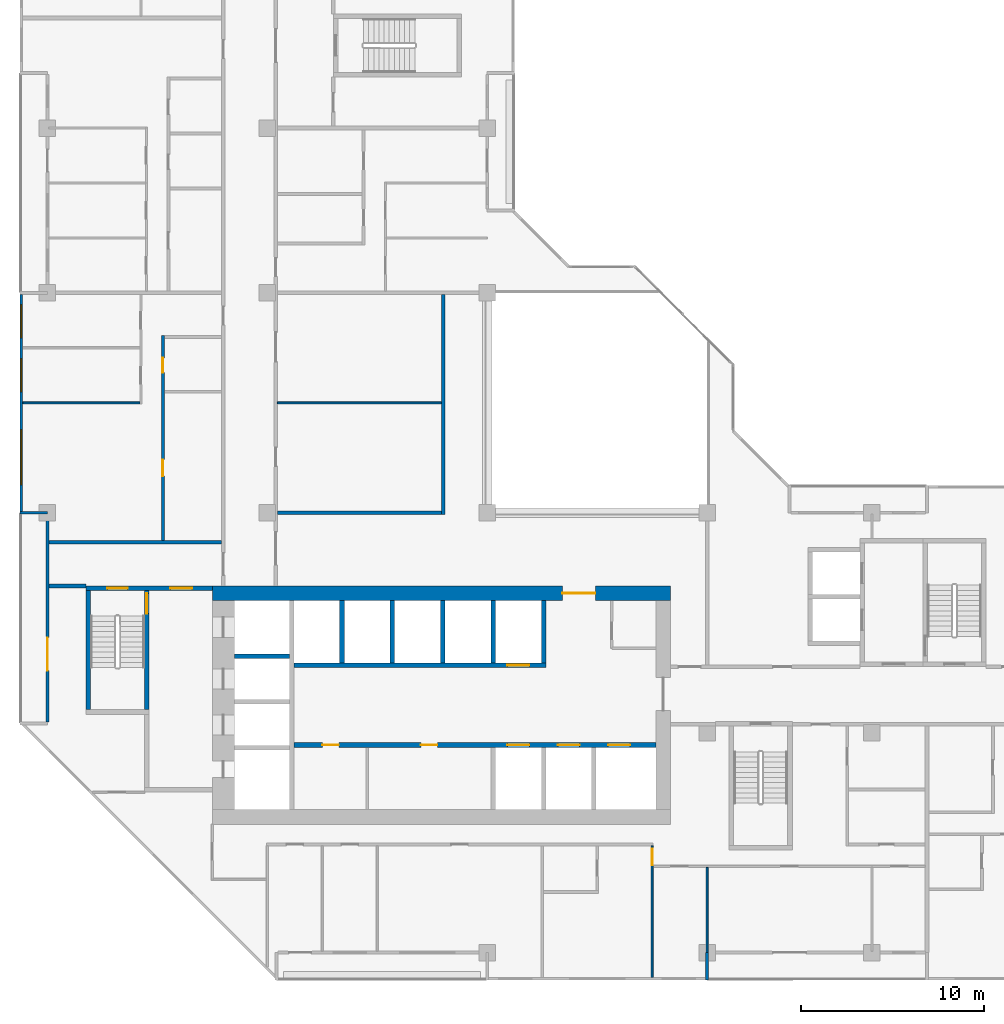
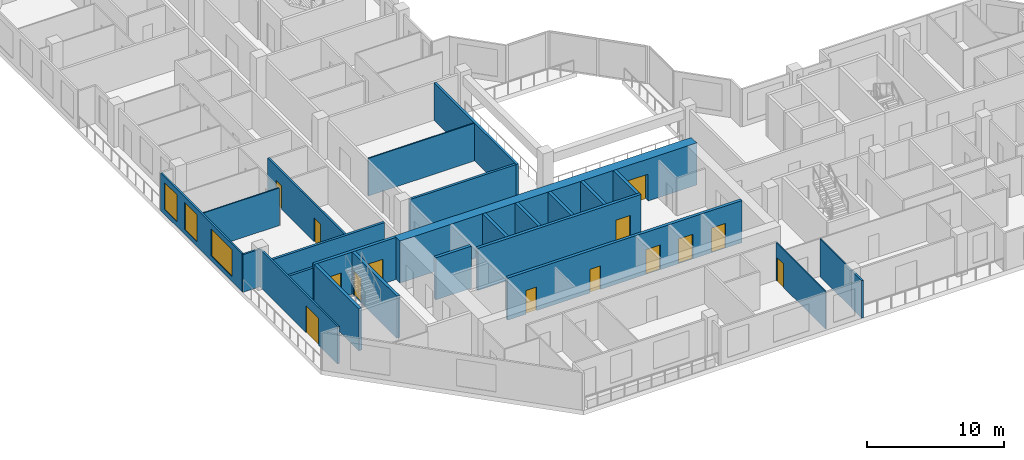
# One storey, part 5 of 14: 25 walls, 14 doors, 3 windows, 17 openings.
"""IFC4 building model written with IfcOpenShell, lengths in metres."""

from ifc_helpers import new_model, si_unit, direction, frame, frame_2d, origin, place, context, subcontext, project, spatial, rectangle, extrude, material, layer, layer_set, type_object, element, fill, save


model = new_model("IFC4")

# Units and contexts
model_context = context("Model", 3, precision=1e-05, world=origin(), true_north=direction((0.0, 1.0)))
body_context = subcontext(model_context, "Body", "Model", "MODEL_VIEW")
ifc_project = project(units=[si_unit("LENGTHUNIT", "METRE"), si_unit("AREAUNIT", "SQUARE_METRE"), si_unit("VOLUMEUNIT", "CUBIC_METRE"), si_unit("PLANEANGLEUNIT", "RADIAN"), si_unit("MASSUNIT", "GRAM", prefix="KILO")], contexts=[model_context])

# Site, building, storey
site_placement = place(None, origin())
site = spatial("IfcSite", under=ifc_project, at=site_placement, CompositionType="ELEMENT")
building_placement = place(site_placement, origin())
building = spatial("IfcBuilding", under=site, at=building_placement, Name="Chenar Terraces", CompositionType="ELEMENT")
storey_placement = place(building_placement, frame((0.0, 0.0, 168.64990234375)))
storey = spatial("IfcBuildingStorey", under=building, at=storey_placement, Name="L38", CompositionType="ELEMENT", Elevation=168.64990234375)

# Wall, openings, doors
ifc_material_1 = material(Name="Concrete C60/75", Category="concrete")
ifc_layer_1 = layer(ifc_material_1, 0.25)
ifc_layer_set_1 = layer_set([ifc_layer_1], Name="Concrete C60/75")
wall_type_1 = type_object("IfcWallType", Name="Core wall 250 Concrete C60/75", PredefinedType="SHEAR", material=ifc_layer_set_1)
wall_1_placement = place(storey_placement, frame((13.449951171875, 11.324951171875, 0.0), z_axis=(0.0, 0.0, 1.0), x_axis=(1.0, 0.0, 0.0)))
wall_1 = element("IfcWall", 1, at=wall_1_placement, inside=storey, type_object=wall_type_1, Name="Core wall SF L38", PredefinedType="SHEAR", context=body_context, shape_type="SweptSolid", body=[
    extrude(rectangle(XDim=19.75, YDim=0.25, at=frame_2d((9.875, 0.0))), origin(), (0.0, 0.0, 1.0), 3.75),
])
opening_1_placement = place(wall_1_placement, frame((11.64990234375, 0.0, 0.0)))
opening_1 = element("IfcOpeningElement", 2, at=opening_1_placement, cuts=wall_1, Name="Opening DL38-LD1", PredefinedType="OPENING", context=body_context, shape_type="SweptSolid", body=[
    extrude(rectangle(XDim=1.199951171875, YDim=2.199951171875, at=frame_2d((0.60009765625, 1.10009765625))), frame((0.0, 0.135009765625, 0.0), z_axis=(0.0, -1.0, 0.0), x_axis=(1.0, 0.0, 0.0)), (0.0, 0.0, 1.0), 0.27001953125),
])
opening_2_placement = place(wall_1_placement, frame((14.39990234375, 0.0, 0.0)))
opening_2 = element("IfcOpeningElement", 3, at=opening_2_placement, cuts=wall_1, Name="Opening DL38-LD2", PredefinedType="OPENING", context=body_context, shape_type="SweptSolid", body=[
    extrude(rectangle(XDim=1.199951171875, YDim=2.199951171875, at=frame_2d((0.60009765625, 1.10009765625))), frame((0.0, 0.135009765625, 0.0), z_axis=(0.0, -1.0, 0.0), x_axis=(1.0, 0.0, 0.0)), (0.0, 0.0, 1.0), 0.27001953125),
])
opening_3_placement = place(wall_1_placement, frame((17.14990234375, 0.0, 0.0)))
opening_3 = element("IfcOpeningElement", 4, at=opening_3_placement, cuts=wall_1, Name="Opening DL38-LD3", PredefinedType="OPENING", context=body_context, shape_type="SweptSolid", body=[
    extrude(rectangle(XDim=1.199951171875, YDim=2.199951171875, at=frame_2d((0.60009765625, 1.10009765625))), frame((0.0, 0.135009765625, 0.0), z_axis=(0.0, -1.0, 0.0), x_axis=(1.0, 0.0, 0.0)), (0.0, 0.0, 1.0), 0.27001953125),
])
opening_4_placement = place(wall_1_placement, frame((1.550048828125, 0.0, 0.0)))
opening_4 = element("IfcOpeningElement", 5, at=opening_4_placement, cuts=wall_1, Name="Opening DL38-C12", PredefinedType="OPENING", context=body_context, shape_type="SweptSolid", body=[
    extrude(rectangle(XDim=0.89990234375, YDim=2.10009765625, at=frame_2d((0.449951171875, 1.050048828125))), frame((0.0, 0.135009765625, 0.0), z_axis=(0.0, -1.0, 0.0), x_axis=(1.0, 0.0, 0.0)), (0.0, 0.0, 1.0), 0.27001953125),
])
opening_5_placement = place(wall_1_placement, frame((6.925048828125, 0.0, 0.0)))
opening_5 = element("IfcOpeningElement", 6, at=opening_5_placement, cuts=wall_1, Name="Opening DL38-C13", PredefinedType="OPENING", context=body_context, shape_type="SweptSolid", body=[
    extrude(rectangle(XDim=0.89990234375, YDim=2.10009765625, at=frame_2d((0.449951171875, 1.050048828125))), frame((0.0, 0.135009765625, 0.0), z_axis=(0.0, -1.0, 0.0), x_axis=(1.0, 0.0, 0.0)), (0.0, 0.0, 1.0), 0.27001953125),
])
ifc_material_2 = material(Name="Stainless steel", Category="steel")
door_type_1 = type_object("IfcDoorType", Name="Lift landing door 1200 x 2200 sliding", OperationType="DOUBLE_DOOR_SLIDING", PredefinedType="DOOR", material=ifc_material_2)
door_1_placement = place(opening_1_placement, origin())
door_1 = element("IfcDoor", 7, at=door_1_placement, inside=storey, type_object=door_type_1, Name="Landing door M1", OperationType="DOUBLE_DOOR_SLIDING", OverallHeight=2.199951171875, OverallWidth=1.199951171875, PredefinedType="DOOR", context=body_context, shape_type="SweptSolid", body=[
    extrude(rectangle(XDim=1.199951171875, YDim=2.199951171875, at=frame_2d((0.60009765625, 1.10009765625))), frame((0.0, 0.02490234375, 0.0), z_axis=(0.0, -1.0, 0.0), x_axis=(1.0, 0.0, 0.0)), (0.0, 0.0, 1.0), 0.050048828125),
])
fill(opening_1, door_1)
door_2_placement = place(opening_2_placement, origin())
door_2 = element("IfcDoor", 8, at=door_2_placement, inside=storey, type_object=door_type_1, Name="Landing door M2", OperationType="DOUBLE_DOOR_SLIDING", OverallHeight=2.199951171875, OverallWidth=1.199951171875, PredefinedType="DOOR", context=body_context, shape_type="SweptSolid", body=[
    extrude(rectangle(XDim=1.199951171875, YDim=2.199951171875, at=frame_2d((0.60009765625, 1.10009765625))), frame((0.0, 0.02490234375, 0.0), z_axis=(0.0, -1.0, 0.0), x_axis=(1.0, 0.0, 0.0)), (0.0, 0.0, 1.0), 0.050048828125),
])
fill(opening_2, door_2)
door_3_placement = place(opening_3_placement, origin())
door_3 = element("IfcDoor", 9, at=door_3_placement, inside=storey, type_object=door_type_1, Name="Landing door M3", OperationType="DOUBLE_DOOR_SLIDING", OverallHeight=2.199951171875, OverallWidth=1.199951171875, PredefinedType="DOOR", context=body_context, shape_type="SweptSolid", body=[
    extrude(rectangle(XDim=1.199951171875, YDim=2.199951171875, at=frame_2d((0.60009765625, 1.10009765625))), frame((0.0, 0.02490234375, 0.0), z_axis=(0.0, -1.0, 0.0), x_axis=(1.0, 0.0, 0.0)), (0.0, 0.0, 1.0), 0.050048828125),
])
fill(opening_3, door_3)
ifc_material_3 = material(Name="Steel-framed fire-resisting door leaf", Category="steel")
door_type_2 = type_object("IfcDoorType", Name="Riser fire door FD60 900 x 2100", OperationType="SINGLE_SWING_LEFT", PredefinedType="DOOR", material=ifc_material_3)
door_4_placement = place(opening_4_placement, frame((0.89990234375, 0.0, 0.0), z_axis=(0.0, 0.0, 1.0), x_axis=(-1.0, 0.0, 0.0)))
door_4 = element("IfcDoor", 10, at=door_4_placement, inside=storey, type_object=door_type_2, Name="Core room door DL38-C12", OperationType="SINGLE_SWING_LEFT", OverallHeight=2.10009765625, OverallWidth=0.89990234375, PredefinedType="DOOR", context=body_context, shape_type="SweptSolid", body=[
    extrude(rectangle(XDim=0.89990234375, YDim=2.10009765625, at=frame_2d((0.449951171875, 1.050048828125))), frame((0.0, 0.02490234375, 0.0), z_axis=(0.0, -1.0, 0.0), x_axis=(1.0, 0.0, 0.0)), (0.0, 0.0, 1.0), 0.050048828125),
])
fill(opening_4, door_4)
door_5_placement = place(opening_5_placement, frame((0.89990234375, 0.0, 0.0), z_axis=(0.0, 0.0, 1.0), x_axis=(-1.0, 0.0, 0.0)))
door_5 = element("IfcDoor", 11, at=door_5_placement, inside=storey, type_object=door_type_2, Name="Core room door DL38-C13", OperationType="SINGLE_SWING_RIGHT", OverallHeight=2.10009765625, OverallWidth=0.89990234375, PredefinedType="DOOR", context=body_context, shape_type="SweptSolid", body=[
    extrude(rectangle(XDim=0.89990234375, YDim=2.10009765625, at=frame_2d((0.449951171875, 1.050048828125))), frame((0.0, 0.02490234375, 0.0), z_axis=(0.0, -1.0, 0.0), x_axis=(1.0, 0.0, 0.0)), (0.0, 0.0, 1.0), 0.050048828125),
])
fill(opening_5, door_5)

# Wall, opening, door
wall_2_placement = place(storey_placement, frame((13.449951171875, 15.675048828125, 0.0), z_axis=(0.0, 0.0, 1.0), x_axis=(1.0, 0.0, 0.0)))
wall_2 = element("IfcWall", 12, at=wall_2_placement, inside=storey, type_object=wall_type_1, Name="Core wall NF L38", PredefinedType="SHEAR", context=body_context, shape_type="SweptSolid", body=[
    extrude(rectangle(XDim=13.75, YDim=0.25, at=frame_2d((6.875, 0.0))), origin(), (0.0, 0.0, 1.0), 3.75),
])
opening_6_placement = place(wall_2_placement, frame((11.64990234375, 0.0, 0.0)))
opening_6 = element("IfcOpeningElement", 13, at=opening_6_placement, cuts=wall_2, Name="Opening DL38-LD4", PredefinedType="OPENING", context=body_context, shape_type="SweptSolid", body=[
    extrude(rectangle(XDim=1.199951171875, YDim=2.199951171875, at=frame_2d((0.60009765625, 1.10009765625))), frame((0.0, 0.135009765625, 0.0), z_axis=(0.0, -1.0, 0.0), x_axis=(1.0, 0.0, 0.0)), (0.0, 0.0, 1.0), 0.27001953125),
])
door_6_placement = place(opening_6_placement, origin())
door_6 = element("IfcDoor", 14, at=door_6_placement, inside=storey, type_object=door_type_1, Name="Landing door M4", OperationType="DOUBLE_DOOR_SLIDING", OverallHeight=2.199951171875, OverallWidth=1.199951171875, PredefinedType="DOOR", context=body_context, shape_type="SweptSolid", body=[
    extrude(rectangle(XDim=1.199951171875, YDim=2.199951171875, at=frame_2d((0.60009765625, 1.10009765625))), frame((0.0, 0.02490234375, 0.0), z_axis=(0.0, -1.0, 0.0), x_axis=(1.0, 0.0, 0.0)), (0.0, 0.0, 1.0), 0.050048828125),
])
fill(opening_6, door_6)

# Walls
wall_3_placement = place(storey_placement, frame((10.199951171875, 16.175048828125, 0.0), z_axis=(0.0, 0.0, 1.0), x_axis=(1.0, 0.0, 0.0)))
element("IfcWall", 15, at=wall_3_placement, inside=storey, type_object=wall_type_1, Name="Core wall HW2 L38", PredefinedType="SHEAR", context=body_context, shape_type="SweptSolid", body=[
    extrude(rectangle(XDim=3.0, YDim=0.25, at=frame_2d((1.5, 0.0))), origin(), (0.0, 0.0, 1.0), 3.75),
])
for number, where, z_axis, x_axis, name in (
    (16, (16.074951171875, 15.800048828125, 0.0), (0.0, 0.0, 1.0), (0.0, 1.0, 0.0), "Core wall NS0 L38"),
    (17, (18.824951171875, 15.800048828125, 0.0), (0.0, 0.0, 1.0), (0.0, 1.0, 0.0), "Core wall NS1 L38"),
    (18, (21.574951171875, 15.800048828125, 0.0), (0.0, 0.0, 1.0), (0.0, 1.0, 0.0), "Core wall NS2 L38"),
    (19, (24.324951171875, 15.800048828125, 0.0), (0.0, 0.0, 1.0), (0.0, 1.0, 0.0), "Core wall NS3 L38"),
    (20, (27.074951171875, 15.800048828125, 0.0), (0.0, 0.0, 1.0), (0.0, 1.0, 0.0), "Core wall NE L38"),
):
    element("IfcWall", number, at=place(storey_placement, frame(where, z_axis=z_axis, x_axis=x_axis)), inside=storey, type_object=wall_type_1, Name=name, PredefinedType="SHEAR", context=body_context, shape_type="SweptSolid", body=[
        extrude(rectangle(XDim=3.39990234375, YDim=0.25, at=frame_2d((1.699951171875, 0.0))), origin(), (0.0, 0.0, 1.0), 3.75),
    ])

# Wall, openings, doors
wall_4_placement = place(storey_placement, frame((2.10009765625, 19.875, 0.0), z_axis=(0.0, 0.0, 1.0), x_axis=(1.0, 0.0, 0.0)))
wall_4 = element("IfcWall", 21, at=wall_4_placement, inside=storey, type_object=wall_type_1, Name="Core wall A_N L38", PredefinedType="SHEAR", context=body_context, shape_type="SweptSolid", body=[
    extrude(rectangle(XDim=6.89990234375, YDim=0.25, at=frame_2d((3.449951171875, 0.0))), origin(), (0.0, 0.0, 1.0), 3.75),
])
opening_7_placement = place(wall_4_placement, frame((1.175048828125, 0.0, 0.0)))
opening_7 = element("IfcOpeningElement", 22, at=opening_7_placement, cuts=wall_4, Name="Opening DL38-C5", PredefinedType="OPENING", context=body_context, shape_type="SweptSolid", body=[
    extrude(rectangle(XDim=1.10009765625, YDim=2.199951171875, at=frame_2d((0.550048828125, 1.10009765625))), frame((0.0, 0.135009765625, 0.0), z_axis=(0.0, -1.0, 0.0), x_axis=(1.0, 0.0, 0.0)), (0.0, 0.0, 1.0), 0.27001953125),
])
opening_8_placement = place(wall_4_placement, frame((4.60009765625, 0.0, 0.0)))
opening_8 = element("IfcOpeningElement", 23, at=opening_8_placement, cuts=wall_4, Name="Opening DL38-C6", PredefinedType="OPENING", context=body_context, shape_type="SweptSolid", body=[
    extrude(rectangle(XDim=1.199951171875, YDim=2.199951171875, at=frame_2d((0.60009765625, 1.10009765625))), frame((0.0, 0.135009765625, 0.0), z_axis=(0.0, -1.0, 0.0), x_axis=(1.0, 0.0, 0.0)), (0.0, 0.0, 1.0), 0.27001953125),
])
ifc_material_4 = material(Name="Steel-framed fire-resisting door leaf", Category="steel")
door_type_3 = type_object("IfcDoorType", Name="Lobby fire door FD60 1200 x 2200", OperationType="SINGLE_SWING_LEFT", PredefinedType="DOOR", material=ifc_material_4)
door_7_placement = place(opening_8_placement, frame((1.199951171875, 0.0, 0.0), z_axis=(0.0, 0.0, 1.0), x_axis=(-1.0, 0.0, 0.0)))
door_7 = element("IfcDoor", 24, at=door_7_placement, inside=storey, type_object=door_type_3, Name="Core door DL38-C6", OperationType="SINGLE_SWING_LEFT", OverallHeight=2.199951171875, OverallWidth=1.199951171875, PredefinedType="DOOR", context=body_context, shape_type="SweptSolid", body=[
    extrude(rectangle(XDim=1.199951171875, YDim=2.199951171875, at=frame_2d((0.60009765625, 1.10009765625))), frame((0.0, 0.02490234375, 0.0), z_axis=(0.0, -1.0, 0.0), x_axis=(1.0, 0.0, 0.0)), (0.0, 0.0, 1.0), 0.050048828125),
])
fill(opening_8, door_7)
ifc_material_5 = material(Name="Steel-framed fire-resisting door leaf", Category="steel")
door_type_4 = type_object("IfcDoorType", Name="Stair fire door FD60 1100 x 2200", OperationType="SINGLE_SWING_LEFT", PredefinedType="DOOR", material=ifc_material_5)
door_8_placement = place(opening_7_placement, origin())
door_8 = element("IfcDoor", 25, at=door_8_placement, inside=storey, type_object=door_type_4, Name="Stair door DL38-C5", OperationType="SINGLE_SWING_LEFT", OverallHeight=2.199951171875, OverallWidth=1.10009765625, PredefinedType="DOOR", context=body_context, shape_type="SweptSolid", body=[
    extrude(rectangle(XDim=1.10009765625, YDim=2.199951171875, at=frame_2d((0.550048828125, 1.10009765625))), frame((0.0, 0.02490234375, 0.0), z_axis=(0.0, -1.0, 0.0), x_axis=(1.0, 0.0, 0.0)), (0.0, 0.0, 1.0), 0.050048828125),
])
fill(opening_7, door_8)

# Wall
wall_5_placement = place(storey_placement, frame((2.22509765625, 13.25, 0.0), z_axis=(0.0, 0.0, 1.0), x_axis=(0.0, 1.0, 0.0)))
element("IfcWall", 26, at=wall_5_placement, inside=storey, type_object=wall_type_1, Name="Core wall ST1_W L38", PredefinedType="SHEAR", context=body_context, shape_type="SweptSolid", body=[
    extrude(rectangle(XDim=6.5, YDim=0.25, at=frame_2d((3.25, 0.0))), origin(), (0.0, 0.0, 1.0), 3.75),
])

# Wall, opening, door
wall_6_placement = place(storey_placement, frame((5.425048828125, 13.25, 0.0), z_axis=(0.0, 0.0, 1.0), x_axis=(0.0, 1.0, 0.0)))
wall_6 = element("IfcWall", 27, at=wall_6_placement, inside=storey, type_object=wall_type_1, Name="Core wall ST1_E L38", PredefinedType="SHEAR", context=body_context, shape_type="SweptSolid", body=[
    extrude(rectangle(XDim=6.5, YDim=0.25, at=frame_2d((3.25, 0.0))), origin(), (0.0, 0.0, 1.0), 3.75),
])
opening_9_placement = place(wall_6_placement, frame((5.25, 0.0, 0.0)))
opening_9 = element("IfcOpeningElement", 28, at=opening_9_placement, cuts=wall_6, Name="Opening DL38-C3", PredefinedType="OPENING", context=body_context, shape_type="SweptSolid", body=[
    extrude(rectangle(XDim=1.10009765625, YDim=2.199951171875, at=frame_2d((0.550048828125, 1.10009765625))), frame((0.0, 0.135009765625, 0.0), z_axis=(0.0, -1.0, 0.0), x_axis=(1.0, 0.0, 0.0)), (0.0, 0.0, 1.0), 0.27001953125),
])
door_9_placement = place(opening_9_placement, origin())
door_9 = element("IfcDoor", 29, at=door_9_placement, inside=storey, type_object=door_type_4, Name="Stair door DL38-C3", OperationType="SINGLE_SWING_RIGHT", OverallHeight=2.199951171875, OverallWidth=1.10009765625, PredefinedType="DOOR", context=body_context, shape_type="SweptSolid", body=[
    extrude(rectangle(XDim=1.10009765625, YDim=2.199951171875, at=frame_2d((0.550048828125, 1.10009765625))), frame((0.0, 0.02490234375, 0.0), z_axis=(0.0, -1.0, 0.0), x_axis=(1.0, 0.0, 0.0)), (0.0, 0.0, 1.0), 0.050048828125),
])
fill(opening_9, door_9)

ifc_material_6 = material(Name="Concrete C60/75", Category="concrete")
ifc_layer_2 = layer(ifc_material_6, 0.800048828125)
ifc_layer_set_2 = layer_set([ifc_layer_2], Name="Concrete C60/75")
wall_type_2 = type_object("IfcWallType", Name="Core wall 800 Concrete C60/75", PredefinedType="SHEAR", material=ifc_layer_set_2)
wall_7_placement = place(storey_placement, frame((9.0, 19.60009765625, 0.0), z_axis=(0.0, 0.0, 1.0), x_axis=(1.0, 0.0, 0.0)))
wall_7 = element("IfcWall", 30, at=wall_7_placement, inside=storey, type_object=wall_type_2, Name="Core wall N L38", PredefinedType="SHEAR", context=body_context, shape_type="SweptSolid", body=[
    extrude(rectangle(XDim=25.0, YDim=0.800048828125, at=frame_2d((12.5, 0.0))), origin(), (0.0, 0.0, 1.0), 3.75),
])
opening_10_placement = place(wall_7_placement, frame((19.10009765625, 0.0, 0.0)))
opening_10 = element("IfcOpeningElement", 31, at=opening_10_placement, cuts=wall_7, Name="Opening DL38-C2", PredefinedType="OPENING", context=body_context, shape_type="SweptSolid", body=[
    extrude(rectangle(XDim=1.800048828125, YDim=2.39990234375, at=frame_2d((0.89990234375, 1.199951171875))), frame((0.0, 0.409912109375, 0.0), z_axis=(0.0, -1.0, 0.0), x_axis=(1.0, 0.0, 0.0)), (0.0, 0.0, 1.0), 0.820068359375),
])
ifc_material_7 = material(Name="Steel-framed fire-resisting door leaf", Category="steel")
door_type_5 = type_object("IfcDoorType", Name="Core entrance double fire door FD60 1800 x 2400", OperationType="DOUBLE_DOOR_SINGLE_SWING", PredefinedType="DOOR", material=ifc_material_7)
door_10_placement = place(opening_10_placement, frame((1.800048828125, 0.0, 0.0), z_axis=(0.0, 0.0, 1.0), x_axis=(-1.0, 0.0, 0.0)))
door_10 = element("IfcDoor", 32, at=door_10_placement, inside=storey, type_object=door_type_5, Name="Core door DL38-C2", OperationType="DOUBLE_DOOR_SINGLE_SWING", OverallHeight=2.39990234375, OverallWidth=1.800048828125, PredefinedType="DOOR", context=body_context, shape_type="SweptSolid", body=[
    extrude(rectangle(XDim=1.800048828125, YDim=2.39990234375, at=frame_2d((0.89990234375, 1.199951171875))), frame((0.0, 0.02490234375, 0.0), z_axis=(0.0, -1.0, 0.0), x_axis=(1.0, 0.0, 0.0)), (0.0, 0.0, 1.0), 0.050048828125),
])
fill(opening_10, door_10)

# Walls
ifc_material_8 = material(Name="Gypsum board on steel studs with fire boards", Category="steel")
ifc_layer_3 = layer(ifc_material_8, 0.199951171875)
ifc_layer_set_3 = layer_set([ifc_layer_3], Name="Gypsum board on steel studs with fire boards")
wall_type_3 = type_object("IfcWallType", Name="Corridor wall 200", PredefinedType="PARTITIONING", material=ifc_layer_set_3)
wall_8_placement = place(storey_placement, frame((0.073974609375, 20.0, 0.0), z_axis=(0.0, 0.0, 1.0), x_axis=(1.0, 0.0, 0.0)))
element("IfcWall", 33, at=wall_8_placement, inside=storey, type_object=wall_type_3, Name="Partition L38-007", PredefinedType="PARTITIONING", context=body_context, shape_type="SweptSolid", body=[
    extrude(rectangle(XDim=2.026123046875, YDim=0.199951171875, at=frame_2d((1.01318359375, 0.0))), origin(), (0.0, 0.0, 1.0), 3.35009765625),
])
wall_9_placement = place(storey_placement, frame((0.073974609375, 22.39990234375, 0.0), z_axis=(0.0, 0.0, 1.0), x_axis=(1.0, 0.0, 0.0)))
element("IfcWall", 34, at=wall_9_placement, inside=storey, type_object=wall_type_3, Name="Partition L38-008", PredefinedType="PARTITIONING", context=body_context, shape_type="SweptSolid", body=[
    extrude(rectangle(XDim=9.426025390625, YDim=0.199951171875, at=frame_2d((4.712890625, 0.0))), origin(), (0.0, 0.0, 1.0), 3.35009765625),
])
wall_10_placement = place(storey_placement, frame((12.550048828125, 24.0, 0.0), z_axis=(0.0, 0.0, 1.0), x_axis=(1.0, 0.0, 0.0)))
element("IfcWall", 35, at=wall_10_placement, inside=storey, type_object=wall_type_3, Name="Partition L38-032", PredefinedType="PARTITIONING", context=body_context, shape_type="SweptSolid", body=[
    extrude(rectangle(XDim=8.949951171875, YDim=0.199951171875, at=frame_2d((4.47509765625, 0.0))), origin(), (0.0, 0.0, 1.0), 3.35009765625),
])
wall_11_placement = place(storey_placement, frame((21.60009765625, 23.89990234375, 0.0), z_axis=(0.0, 0.0, 1.0), x_axis=(0.0, 1.0, 0.0)))
element("IfcWall", 36, at=wall_11_placement, inside=storey, type_object=wall_type_3, Name="Partition L38-053", PredefinedType="PARTITIONING", context=body_context, shape_type="SweptSolid", body=[
    extrude(rectangle(XDim=12.0, YDim=0.199951171875, at=frame_2d((6.0, 0.0))), origin(), (0.0, 0.0, 1.0), 3.35009765625),
])

# Wall, openings, windows
ifc_material_9 = material(Name="Aluminium framed glazing", Category="aluminium")
ifc_layer_4 = layer(ifc_material_9, 0.14990234375)
ifc_layer_set_4 = layer_set([ifc_layer_4], Name="Aluminium framed glazing")
wall_type_4 = type_object("IfcWallType", Name="Glazed flush facade wall 150", PredefinedType="SOLIDWALL", material=ifc_layer_set_4)
wall_12_placement = place(storey_placement, frame((-1.425048828125, 35.925048828125, 0.0), z_axis=(0.0, 0.0, 1.0), x_axis=(0.0, -1.0, 0.0)))
wall_12 = element("IfcWall", 37, at=wall_12_placement, inside=storey, type_object=wall_type_4, Name="Glazed flush facade wall", PredefinedType="SOLIDWALL", context=body_context, shape_type="SweptSolid", body=[
    extrude(rectangle(XDim=11.85009765625, YDim=0.14990234375, at=frame_2d((5.925048828125, 0.0))), origin(), (0.0, 0.0, 1.0), 3.35009765625),
])
opening_11_placement = place(wall_12_placement, frame((0.5625, 0.0, 0.449951171875)))
opening_11 = element("IfcOpeningElement", 38, at=opening_11_placement, cuts=wall_12, Name="Opening W180x240", PredefinedType="OPENING", context=body_context, shape_type="SweptSolid", body=[
    extrude(rectangle(XDim=1.800048828125, YDim=2.39990234375, at=frame_2d((0.89990234375, 1.199951171875))), frame((0.0, 0.0849609375, 0.0), z_axis=(0.0, -1.0, 0.0), x_axis=(1.0, 0.0, 0.0)), (0.0, 0.0, 1.0), 0.169921875),
])
opening_12_placement = place(wall_12_placement, frame((3.52490234375, 0.0, 0.449951171875)))
opening_12 = element("IfcOpeningElement", 39, at=opening_12_placement, cuts=wall_12, Name="Opening W180x240", PredefinedType="OPENING", context=body_context, shape_type="SweptSolid", body=[
    extrude(rectangle(XDim=1.800048828125, YDim=2.39990234375, at=frame_2d((0.89990234375, 1.199951171875))), frame((0.0, 0.0849609375, 0.0), z_axis=(0.0, -1.0, 0.0), x_axis=(1.0, 0.0, 0.0)), (0.0, 0.0, 1.0), 0.169921875),
])
opening_13_placement = place(wall_12_placement, frame((7.387451171875, 0.0, 0.449951171875)))
opening_13 = element("IfcOpeningElement", 40, at=opening_13_placement, cuts=wall_12, Name="Opening W300x240", PredefinedType="OPENING", context=body_context, shape_type="SweptSolid", body=[
    extrude(rectangle(XDim=3.0, YDim=2.39990234375, at=frame_2d((1.5, 1.199951171875))), frame((0.0, 0.0849609375, 0.0), z_axis=(0.0, -1.0, 0.0), x_axis=(1.0, 0.0, 0.0)), (0.0, 0.0, 1.0), 0.169921875),
])
ifc_material_10 = material(Name="Low emissivity double glazing, aluminium frame", Category="aluminium")
window_type_1 = type_object("IfcWindowType", Name="Fixed light 1800 x 2400", PartitioningType="SINGLE_PANEL", PredefinedType="WINDOW", material=ifc_material_10)
window_1_placement = place(opening_11_placement, origin())
window_1 = element("IfcWindow", 41, at=window_1_placement, inside=storey, type_object=window_type_1, Name="Window", OverallHeight=2.39990234375, OverallWidth=1.800048828125, PartitioningType="SINGLE_PANEL", PredefinedType="WINDOW", context=body_context, shape_type="SweptSolid", body=[
    extrude(rectangle(XDim=1.800048828125, YDim=2.39990234375, at=frame_2d((0.89990234375, 1.199951171875))), frame((0.0, 0.030029296875, 0.0), z_axis=(0.0, -1.0, 0.0), x_axis=(1.0, 0.0, 0.0)), (0.0, 0.0, 1.0), 0.06005859375),
])
fill(opening_11, window_1)
window_2_placement = place(opening_12_placement, origin())
window_2 = element("IfcWindow", 42, at=window_2_placement, inside=storey, type_object=window_type_1, Name="Window", OverallHeight=2.39990234375, OverallWidth=1.800048828125, PartitioningType="SINGLE_PANEL", PredefinedType="WINDOW", context=body_context, shape_type="SweptSolid", body=[
    extrude(rectangle(XDim=1.800048828125, YDim=2.39990234375, at=frame_2d((0.89990234375, 1.199951171875))), frame((0.0, 0.030029296875, 0.0), z_axis=(0.0, -1.0, 0.0), x_axis=(1.0, 0.0, 0.0)), (0.0, 0.0, 1.0), 0.06005859375),
])
fill(opening_12, window_2)
ifc_material_11 = material(Name="Low emissivity double glazing, aluminium frame", Category="aluminium")
window_type_2 = type_object("IfcWindowType", Name="Fixed light 3000 x 2400", PartitioningType="SINGLE_PANEL", PredefinedType="WINDOW", material=ifc_material_11)
window_3_placement = place(opening_13_placement, origin())
window_3 = element("IfcWindow", 43, at=window_3_placement, inside=storey, type_object=window_type_2, Name="Window", OverallHeight=2.39990234375, OverallWidth=3.0, PartitioningType="SINGLE_PANEL", PredefinedType="WINDOW", context=body_context, shape_type="SweptSolid", body=[
    extrude(rectangle(XDim=3.0, YDim=2.39990234375, at=frame_2d((1.5, 1.199951171875))), frame((0.0, 0.030029296875, 0.0), z_axis=(0.0, -1.0, 0.0), x_axis=(1.0, 0.0, 0.0)), (0.0, 0.0, 1.0), 0.06005859375),
])
fill(opening_13, window_3)

# Wall, opening, door
ifc_material_12 = material(Name="Aluminium framed glazing", Category="aluminium")
ifc_layer_5 = layer(ifc_material_12, 0.14990234375)
ifc_layer_set_5 = layer_set([ifc_layer_5], Name="Aluminium framed glazing")
wall_type_5 = type_object("IfcWallType", Name="Glazed loggia back wall 150", PredefinedType="SOLIDWALL", material=ifc_layer_set_5)
wall_13_placement = place(storey_placement, frame((0.0, 23.925048828125, 0.0), z_axis=(0.0, 0.0, 1.0), x_axis=(0.0, -1.0, 0.0)))
wall_13 = element("IfcWall", 44, at=wall_13_placement, inside=storey, type_object=wall_type_5, Name="Glazed loggia back wall", PredefinedType="SOLIDWALL", context=body_context, shape_type="SweptSolid", body=[
    extrude(rectangle(XDim=11.35009765625, YDim=0.14990234375, at=frame_2d((5.675048828125, 0.0))), origin(), (0.0, 0.0, 1.0), 3.35009765625),
])
opening_14_placement = place(wall_13_placement, frame((6.737548828125, 0.0, 0.0)))
opening_14 = element("IfcOpeningElement", 45, at=opening_14_placement, cuts=wall_13, Name="Opening DL38-G4", PredefinedType="OPENING", context=body_context, shape_type="SweptSolid", body=[
    extrude(rectangle(XDim=1.800048828125, YDim=2.39990234375, at=frame_2d((0.89990234375, 1.199951171875))), frame((0.0, 0.0849609375, 0.0), z_axis=(0.0, -1.0, 0.0), x_axis=(1.0, 0.0, 0.0)), (0.0, 0.0, 1.0), 0.169921875),
])
ifc_material_13 = material(Name="Low emissivity double glazing, aluminium frame", Category="aluminium")
door_type_6 = type_object("IfcDoorType", Name="Loggia glazed double door 1800 x 2400", OperationType="DOUBLE_DOOR_SINGLE_SWING", PredefinedType="DOOR", material=ifc_material_13)
door_11_placement = place(opening_14_placement, frame((1.800048828125, 0.0, 0.0), z_axis=(0.0, 0.0, 1.0), x_axis=(-1.0, 0.0, 0.0)))
door_11 = element("IfcDoor", 46, at=door_11_placement, inside=storey, type_object=door_type_6, Name="Loggia glazed door", OperationType="DOUBLE_DOOR_SINGLE_SWING", OverallHeight=2.39990234375, OverallWidth=1.800048828125, PredefinedType="DOOR", context=body_context, shape_type="SweptSolid", body=[
    extrude(rectangle(XDim=1.800048828125, YDim=2.39990234375, at=frame_2d((0.89990234375, 1.199951171875))), frame((0.0, 0.02490234375, 0.0), z_axis=(0.0, -1.0, 0.0), x_axis=(1.0, 0.0, 0.0)), (0.0, 0.0, 1.0), 0.050048828125),
])
fill(opening_14, door_11)

# Walls
ifc_material_14 = material(Name="Gypsum board on steel studs", Category="steel")
ifc_layer_6 = layer(ifc_material_14, 0.10009765625)
ifc_layer_set_6 = layer_set([ifc_layer_6], Name="Gypsum board on steel studs")
wall_type_6 = type_object("IfcWallType", Name="Gypsum partition 100", PredefinedType="PARTITIONING", material=ifc_layer_set_6)
wall_14_placement = place(storey_placement, frame((-1.35009765625, 30.0, 0.0), z_axis=(0.0, 0.0, 1.0), x_axis=(1.0, 0.0, 0.0)))
element("IfcWall", 47, at=wall_14_placement, inside=storey, type_object=wall_type_6, Name="Partition L38-003", PredefinedType="PARTITIONING", context=body_context, shape_type="SweptSolid", body=[
    extrude(rectangle(XDim=6.400146484375, YDim=0.10009765625, at=frame_2d((3.2001953125, 0.0))), origin(), (0.0, 0.0, 1.0), 3.35009765625),
])
wall_15_placement = place(storey_placement, frame((12.550048828125, 30.0, 0.0), z_axis=(0.0, 0.0, 1.0), x_axis=(1.0, 0.0, 0.0)))
element("IfcWall", 48, at=wall_15_placement, inside=storey, type_object=wall_type_6, Name="Partition L38-033", PredefinedType="PARTITIONING", context=body_context, shape_type="SweptSolid", body=[
    extrude(rectangle(XDim=8.949951171875, YDim=0.10009765625, at=frame_2d((4.47509765625, 0.0))), origin(), (0.0, 0.0, 1.0), 3.35009765625),
])

# Wall, opening, door
wall_16_placement = place(storey_placement, frame((33.0, -1.35107421875, 0.0), z_axis=(0.0, 0.0, 1.0), x_axis=(0.0, 1.0, 0.0)))
wall_16 = element("IfcWall", 49, at=wall_16_placement, inside=storey, type_object=wall_type_6, Name="Partition L38-057", PredefinedType="PARTITIONING", context=body_context, shape_type="SweptSolid", body=[
    extrude(rectangle(XDim=7.176025390625, YDim=0.10009765625, at=frame_2d((3.587890625, 0.0))), origin(), (0.0, 0.0, 1.0), 3.35009765625),
])
opening_15_placement = place(wall_16_placement, frame((6.1259765625, 0.0, 0.0)))
opening_15 = element("IfcOpeningElement", 50, at=opening_15_placement, cuts=wall_16, Name="Opening DL38-52", PredefinedType="OPENING", context=body_context, shape_type="SweptSolid", body=[
    extrude(rectangle(XDim=0.89990234375, YDim=2.10009765625, at=frame_2d((0.449951171875, 1.050048828125))), frame((0.0, 0.06005859375, 0.0), z_axis=(0.0, -1.0, 0.0), x_axis=(1.0, 0.0, 0.0)), (0.0, 0.0, 1.0), 0.1201171875),
])
ifc_material_15 = material(Name="Veneered timber door leaf", Category="wood")
door_type_7 = type_object("IfcDoorType", Name="Door 900 x 2100", OperationType="SINGLE_SWING_LEFT", PredefinedType="DOOR", material=ifc_material_15)
door_12_placement = place(opening_15_placement, origin())
door_12 = element("IfcDoor", 51, at=door_12_placement, inside=storey, type_object=door_type_7, Name="Door DL38-52", OperationType="SINGLE_SWING_RIGHT", OverallHeight=2.10009765625, OverallWidth=0.89990234375, PredefinedType="DOOR", context=body_context, shape_type="SweptSolid", body=[
    extrude(rectangle(XDim=0.89990234375, YDim=2.10009765625, at=frame_2d((0.449951171875, 1.050048828125))), frame((0.0, 0.02490234375, 0.0), z_axis=(0.0, -1.0, 0.0), x_axis=(1.0, 0.0, 0.0)), (0.0, 0.0, 1.0), 0.050048828125),
])
fill(opening_15, door_12)

# Walls
wall_17_placement = place(storey_placement, frame((36.0, 0.0, 0.0), z_axis=(0.0, 0.0, 1.0), x_axis=(0.0, 1.0, 0.0)))
element("IfcWall", 52, at=wall_17_placement, inside=storey, type_object=wall_type_6, Name="Partition L38-061", PredefinedType="PARTITIONING", context=body_context, shape_type="SweptSolid", body=[
    extrude(rectangle(XDim=4.64990234375, YDim=0.10009765625, at=frame_2d((2.324951171875, 0.0))), origin(), (0.0, 0.0, 1.0), 3.35009765625),
])
ifc_material_16 = material(Name="Terracotta cladding on insulated backing", Category="masonry")
ifc_layer_7 = layer(ifc_material_16, 0.14990234375)
ifc_layer_set_7 = layer_set([ifc_layer_7], Name="Terracotta cladding on insulated backing")
wall_type_7 = type_object("IfcWallType", Name="Loggia return wall 150", PredefinedType="SOLIDWALL", material=ifc_layer_set_7)
for number, where, z_axis, x_axis, name in (
    (53, (-1.5, 24.0, 0.0), (0.0, 0.0, 1.0), (1.0, 0.0, 0.0), "Loggia return wall"),
    (54, (36.0, -1.5, 0.0), (0.0, 0.0, 1.0), (0.0, 1.0, 0.0), "Loggia return wall"),
):
    element("IfcWall", number, at=place(storey_placement, frame(where, z_axis=z_axis, x_axis=x_axis)), inside=storey, type_object=wall_type_7, Name=name, PredefinedType="SOLIDWALL", context=body_context, shape_type="SweptSolid", body=[
        extrude(rectangle(XDim=1.5, YDim=0.14990234375, at=frame_2d((0.75, 0.0))), origin(), (0.0, 0.0, 1.0), 3.35009765625),
    ])

# Wall, openings, doors
ifc_material_17 = material(Name="Moisture-resistant gypsum board on steel studs", Category="steel")
ifc_layer_8 = layer(ifc_material_17, 0.14990234375)
ifc_layer_set_8 = layer_set([ifc_layer_8], Name="Moisture-resistant gypsum board on steel studs")
wall_type_8 = type_object("IfcWallType", Name="Wet-room partition 150", PredefinedType="PARTITIONING", material=ifc_layer_set_8)
wall_18_placement = place(storey_placement, frame((6.300048828125, 22.5, 0.0), z_axis=(0.0, 0.0, 1.0), x_axis=(0.0, 1.0, 0.0)))
wall_18 = element("IfcWall", 55, at=wall_18_placement, inside=storey, type_object=wall_type_8, Name="Partition L38-016", PredefinedType="PARTITIONING", context=body_context, shape_type="SweptSolid", body=[
    extrude(rectangle(XDim=11.175048828125, YDim=0.14990234375, at=frame_2d((5.58740234375, 0.0))), origin(), (0.0, 0.0, 1.0), 3.35009765625),
])
opening_16_placement = place(wall_18_placement, frame((9.14990234375, 0.0, 0.0)))
opening_16 = element("IfcOpeningElement", 56, at=opening_16_placement, cuts=wall_18, Name="Opening DL38-58", PredefinedType="OPENING", context=body_context, shape_type="SweptSolid", body=[
    extrude(rectangle(XDim=0.800048828125, YDim=2.10009765625, at=frame_2d((0.39990234375, 1.050048828125))), frame((0.0, 0.0849609375, 0.0), z_axis=(0.0, -1.0, 0.0), x_axis=(1.0, 0.0, 0.0)), (0.0, 0.0, 1.0), 0.169921875),
])
opening_17_placement = place(wall_18_placement, frame((3.5, 0.0, 0.0)))
opening_17 = element("IfcOpeningElement", 57, at=opening_17_placement, cuts=wall_18, Name="Opening DL38-61", PredefinedType="OPENING", context=body_context, shape_type="SweptSolid", body=[
    extrude(rectangle(XDim=0.89990234375, YDim=2.10009765625, at=frame_2d((0.449951171875, 1.050048828125))), frame((0.0, 0.0849609375, 0.0), z_axis=(0.0, -1.0, 0.0), x_axis=(1.0, 0.0, 0.0)), (0.0, 0.0, 1.0), 0.169921875),
])
ifc_material_18 = material(Name="Veneered timber door leaf", Category="wood")
door_type_8 = type_object("IfcDoorType", Name="Door 800 x 2100", OperationType="SINGLE_SWING_LEFT", PredefinedType="DOOR", material=ifc_material_18)
door_13_placement = place(opening_16_placement, frame((0.800048828125, 0.0, 0.0), z_axis=(0.0, 0.0, 1.0), x_axis=(-1.0, 0.0, 0.0)))
door_13 = element("IfcDoor", 58, at=door_13_placement, inside=storey, type_object=door_type_8, Name="Door DL38-58", OperationType="SINGLE_SWING_RIGHT", OverallHeight=2.10009765625, OverallWidth=0.800048828125, PredefinedType="DOOR", context=body_context, shape_type="SweptSolid", body=[
    extrude(rectangle(XDim=0.800048828125, YDim=2.10009765625, at=frame_2d((0.39990234375, 1.050048828125))), frame((0.0, 0.02490234375, 0.0), z_axis=(0.0, -1.0, 0.0), x_axis=(1.0, 0.0, 0.0)), (0.0, 0.0, 1.0), 0.050048828125),
])
fill(opening_16, door_13)
door_14_placement = place(opening_17_placement, frame((0.89990234375, 0.0, 0.0), z_axis=(0.0, 0.0, 1.0), x_axis=(-1.0, 0.0, 0.0)))
door_14 = element("IfcDoor", 59, at=door_14_placement, inside=storey, type_object=door_type_7, Name="Door DL38-61", OperationType="SINGLE_SWING_RIGHT", OverallHeight=2.10009765625, OverallWidth=0.89990234375, PredefinedType="DOOR", context=body_context, shape_type="SweptSolid", body=[
    extrude(rectangle(XDim=0.89990234375, YDim=2.10009765625, at=frame_2d((0.449951171875, 1.050048828125))), frame((0.0, 0.02490234375, 0.0), z_axis=(0.0, -1.0, 0.0), x_axis=(1.0, 0.0, 0.0)), (0.0, 0.0, 1.0), 0.050048828125),
])
fill(opening_17, door_14)

save(model, "model.ifc")
